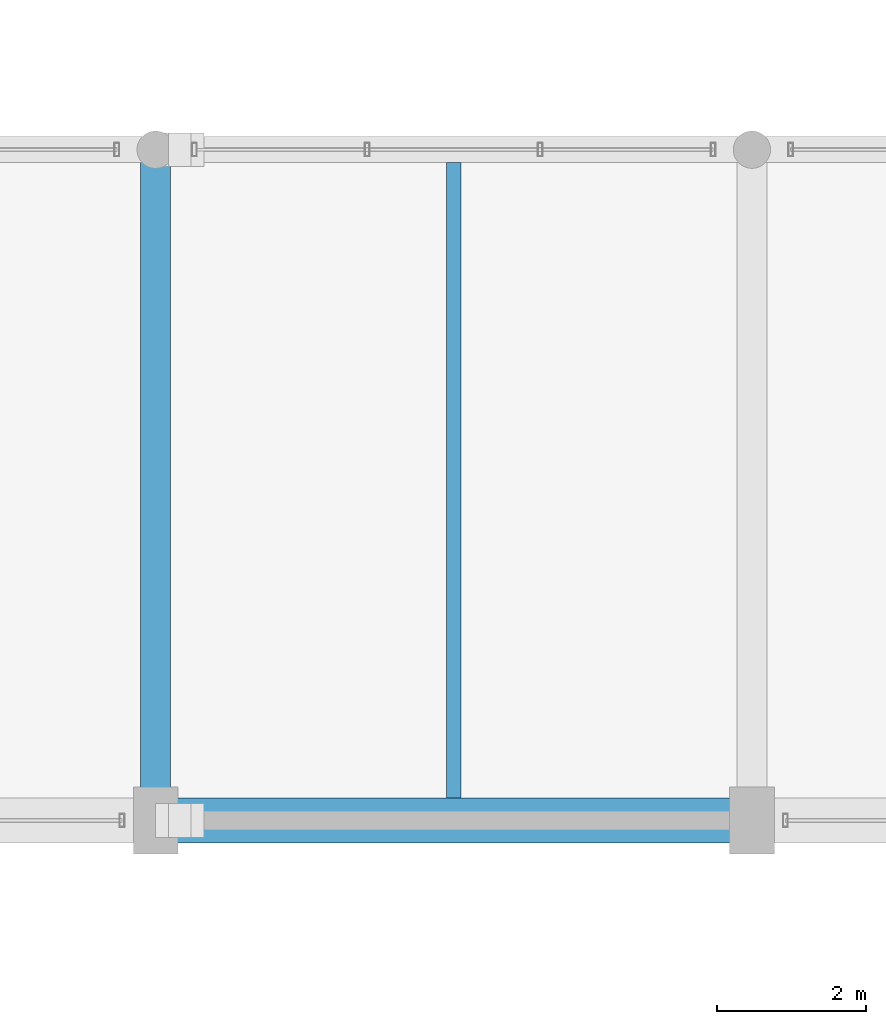
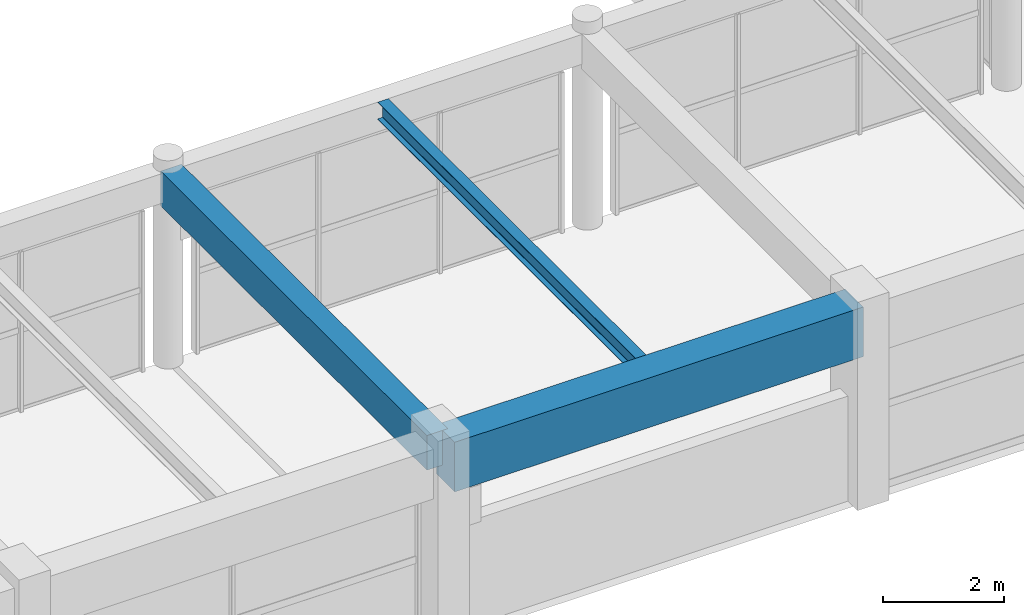
# One storey, part 45 of 126: 3 beams.
"""IFC4 building model written with IfcOpenShell, lengths in metres."""

import ifcopenshell
import ifcopenshell.guid

model = None  # the IFC model being written
_history = None  # IfcOwnerHistory: only IFC2X3 demands one
_inside = {}  # id of a spatial element -> (the spatial element, [elements in it])
_under = {}  # id of a project, library or spatial element -> (it, [spatial elements below it])
_declared = {}  # id of a project -> (the project, [libraries it declares])
_typed = {}  # id of a type object -> (the type object, [elements of that type])
_made_of = {}  # id of a material, layer set ... -> (it, [elements and type objects made of it])


def new_model(schema):
    """Start an empty IFC model of exactly this schema.

    Asked for "IFC4X3", IfcOpenShell would pick the latest addendum, in which some entities
    have other attributes; the version numbers below select the first issue.
    IFC2X3 requires an IfcOwnerHistory on every rooted entity: one is made here for all.
    """
    global model, _history
    if schema == "IFC4X3":
        model = ifcopenshell.file(schema_version=(4, 3, 0, 0))
    else:
        model = ifcopenshell.file(schema=schema)
    _inside.clear()
    _under.clear()
    _declared.clear()
    _typed.clear()
    _made_of.clear()
    _history = None
    if model.schema == "IFC2X3":
        org = make("IfcOrganization", Name="unknown")
        user = make(
            "IfcPersonAndOrganization",
            ThePerson=make("IfcPerson", FamilyName="unknown"),
            TheOrganization=org,
        )
        app = make(
            "IfcApplication",
            ApplicationDeveloper=org,
            Version="unknown",
            ApplicationFullName="unknown",
            ApplicationIdentifier="unknown",
        )
        _history = make(
            "IfcOwnerHistory",
            OwningUser=user,
            OwningApplication=app,
            ChangeAction="ADDED",
            CreationDate=0,
        )
    return model


def make(cls, **values):
    """One entity of the class cls with the attributes given. An attribute that is None is left unset."""
    return model.create_entity(
        cls, **{name: value for name, value in values.items() if value is not None}
    )


def rooted(cls, **values):
    """An entity with a GlobalId (a new one), such as an element, a storey or a relation."""
    return make(cls, GlobalId=ifcopenshell.guid.new(), OwnerHistory=_history, **values)


def si_unit(unit_type, name, prefix=None):
    """IfcSIUnit, for example si_unit("LENGTHUNIT", "METRE", prefix="MILLI")."""
    return make("IfcSIUnit", UnitType=unit_type, Prefix=prefix, Name=name)


def assignment(units):
    """IfcUnitAssignment: the units of a project."""
    return None if units is None else make("IfcUnitAssignment", Units=units)


def point(xyz):
    """IfcCartesianPoint."""
    return None if xyz is None else make("IfcCartesianPoint", Coordinates=xyz)


def direction(xyz):
    """IfcDirection."""
    return None if xyz is None else make("IfcDirection", DirectionRatios=xyz)


def frame(location, z_axis=None, x_axis=None):
    """IfcAxis2Placement3D, a coordinate frame: its origin and axes. An axis left out is left unset."""
    return make(
        "IfcAxis2Placement3D",
        Location=point(location),
        Axis=direction(z_axis),
        RefDirection=direction(x_axis),
    )


def frame_2d(location, x_axis=None):
    """IfcAxis2Placement2D, a coordinate frame in the plane: its origin and x axis."""
    return make(
        "IfcAxis2Placement2D", Location=point(location), RefDirection=direction(x_axis)
    )


def origin():
    """The frame at (0, 0, 0) with its axes left unset."""
    return frame((0.0, 0.0, 0.0))


def origin_2d():
    """The frame at (0, 0) in the plane with its x axis left unset."""
    return frame_2d((0.0, 0.0))


def place(relative_to, where):
    """IfcLocalPlacement: puts the frame where relative to a parent placement (None: the world)."""
    return make(
        "IfcLocalPlacement", PlacementRelTo=relative_to, RelativePlacement=where
    )


def context(
    kind, dimensions, precision=None, world=None, true_north=None, identifier=None
):
    """IfcGeometricRepresentationContext, for example the 3D "Model" context."""
    return make(
        "IfcGeometricRepresentationContext",
        ContextIdentifier=identifier,
        ContextType=kind,
        CoordinateSpaceDimension=dimensions,
        Precision=precision,
        WorldCoordinateSystem=world,
        TrueNorth=true_north,
    )


def subcontext(parent, identifier, kind, view, scale=None):
    """IfcGeometricRepresentationSubContext, for example "Body" below "Model"."""
    return make(
        "IfcGeometricRepresentationSubContext",
        ContextIdentifier=identifier,
        ContextType=kind,
        ParentContext=parent,
        TargetScale=scale,
        TargetView=view,
    )


def project(units=None, contexts=None):
    """IfcProject with its units and contexts."""
    return rooted(
        "IfcProject",
        Name="project",
        RepresentationContexts=contexts,
        UnitsInContext=assignment(units),
    )


def spatial(cls, under=None, at=None, **own):
    """A site, building, storey or space (cls), placed at a placement, below another one or the project."""
    s = rooted(cls, ObjectPlacement=at, **own)
    if under is not None:
        _under.setdefault(under.id(), (under, []))[1].append(s)
    return s


def profile(cls, at=None, kind="AREA", **sizes):
    """A parametric profile (cls). Its sizes go by their IFC names, for example OverallWidth=200.0."""
    return make(cls, ProfileType=kind, Position=at, **sizes)


def rectangle(**sizes):
    """IfcRectangleProfileDef."""
    return profile("IfcRectangleProfileDef", **sizes)


def i_section(**sizes):
    """IfcIShapeProfileDef."""
    return profile("IfcIShapeProfileDef", **sizes)


def extrude(swept, where, along, depth):
    """IfcExtrudedAreaSolid: the profile swept, set in the frame where, extruded along a direction by depth."""
    return make(
        "IfcExtrudedAreaSolid",
        SweptArea=swept,
        Position=where,
        ExtrudedDirection=direction(along),
        Depth=depth,
    )


def shape(context_of_items, identifier, shape_type, items):
    """IfcShapeRepresentation: the items that make up one representation, for example the "Body"."""
    return make(
        "IfcShapeRepresentation",
        ContextOfItems=context_of_items,
        RepresentationIdentifier=identifier,
        RepresentationType=shape_type,
        Items=items,
    )


def material(Name=None, Category=None):
    """IfcMaterial."""
    return make("IfcMaterial", Name=Name, Category=Category)


def material_profile(
    of_material, cross_section, Name=None, Category=None, Priority=None
):
    """IfcMaterialProfile: a cross section and its material."""
    return make(
        "IfcMaterialProfile",
        Name=Name,
        Material=of_material,
        Profile=cross_section,
        Priority=Priority,
        Category=Category,
    )


def profile_set(profiles, Name=None, composite=None):
    """IfcMaterialProfileSet."""
    return make(
        "IfcMaterialProfileSet",
        Name=Name,
        MaterialProfiles=profiles,
        CompositeProfile=composite,
    )


def made_of(thing, what):
    """Note that an element or type object is made of a material, layer set ...; save() writes the relation."""
    if what is not None:
        _made_of.setdefault(what.id(), (what, []))[1].append(thing)
    return thing


def type_object(cls, material=None, **own):
    """A type object (cls), such as IfcWallType, which elements share."""
    return made_of(rooted(cls, **own), material)


def element(
    cls,
    number,
    at=None,
    inside=None,
    cuts=None,
    type_object=None,
    material=None,
    context=None,
    identifier="Body",
    shape_type=None,
    held_by="IfcProductDefinitionShape",
    body=None,
    shapes=None,
    **own,
):
    """One element of the class cls, such as IfcWall. Its Tag is "e" and its number.

    at: its placement. inside: the storey or other place that contains it. cuts: it is an
    opening in that element (IfcRelVoidsElement). A single representation is given by context,
    identifier, shape_type and body (its items); several are given by shapes. held_by: the class
    of the entity that holds the representations. save() writes the other relations.
    """
    e = rooted(cls, Tag="e%d" % number, ObjectPlacement=at, **own)
    if body is not None:
        shapes = [shape(context, identifier, shape_type, body)]
    if shapes is not None:
        e.Representation = make(held_by, Representations=shapes)
    if inside is not None:
        _inside.setdefault(inside.id(), (inside, []))[1].append(e)
    if cuts is not None:
        rooted(
            "IfcRelVoidsElement", RelatingBuildingElement=cuts, RelatedOpeningElement=e
        )
    if type_object is not None:
        _typed.setdefault(type_object.id(), (type_object, []))[1].append(e)
    return made_of(e, material)


def aggregate(whole, parts):
    """IfcRelAggregates: a whole, such as a stair, and the parts it consists of."""
    return rooted("IfcRelAggregates", RelatingObject=whole, RelatedObjects=parts)


def save(model, path):
    """Write the relations noted so far, then the file.

    IfcRelAggregates (storeys below a building ...), IfcRelContainedInSpatialStructure (elements
    in a storey), IfcRelDefinesByType, IfcRelAssociatesMaterial and IfcRelDeclares: one each for
    every whole, place, type object, material and project.
    """
    for whole, parts in _under.values():
        aggregate(whole, parts)
    for where, things in _inside.values():
        rooted(
            "IfcRelContainedInSpatialStructure",
            RelatedElements=things,
            RelatingStructure=where,
        )
    for kind, things in _typed.values():
        rooted("IfcRelDefinesByType", RelatedObjects=things, RelatingType=kind)
    for what, things in _made_of.values():
        rooted("IfcRelAssociatesMaterial", RelatedObjects=things, RelatingMaterial=what)
    for by, libraries in _declared.values():
        rooted("IfcRelDeclares", RelatingContext=by, RelatedDefinitions=libraries)
    model.write(path)


model = new_model("IFC4")

# Units and contexts
model_context = context("Model", 3, precision=1e-05, world=origin(), true_north=direction((0.0, 1.0)))
body_context = subcontext(model_context, "Body", "Model", "MODEL_VIEW")
ifc_project = project(units=[si_unit("LENGTHUNIT", "METRE"), si_unit("AREAUNIT", "SQUARE_METRE"), si_unit("VOLUMEUNIT", "CUBIC_METRE"), si_unit("PLANEANGLEUNIT", "RADIAN"), si_unit("MASSUNIT", "GRAM", prefix="KILO")], contexts=[model_context])

# Site, building, storey
site_placement = place(None, origin())
site = spatial("IfcSite", under=ifc_project, at=site_placement, CompositionType="ELEMENT")
building_placement = place(site_placement, origin())
building = spatial("IfcBuilding", under=site, at=building_placement, Name="Varnabhumi Central Station", CompositionType="ELEMENT")
storey_placement = place(building_placement, frame((0.0, 0.0, 16.199951171875)))
storey = spatial("IfcBuildingStorey", under=building, at=storey_placement, Name="L03", CompositionType="ELEMENT", Elevation=16.199951171875)

# Beams
ifc_material_1 = material(Name="Concrete M50", Category="concrete")
ifc_material_profile_1 = material_profile(ifc_material_1, rectangle(XDim=0.60009765625, YDim=1.0, at=origin_2d()), Name="Concrete M50", Category="concrete")
ifc_profile_set_1 = profile_set([ifc_material_profile_1], Name="Concrete M50")
beam_type_1 = type_object("IfcBeamType", Name="BM-RC-600x1000", PredefinedType="BEAM", material=ifc_profile_set_1)
beam_1_placement = place(storey_placement, frame((64.10009765625, 80.0, 3.449951171875), z_axis=(1.0, 0.0, 0.0), x_axis=(0.0, 1.0, 0.0)))
element("IfcBeam", 1, at=beam_1_placement, inside=storey, type_object=beam_type_1, Name="Beam L03-K:9-10", PredefinedType="BEAM", context=body_context, shape_type="SweptSolid", body=[
    extrude(rectangle(XDim=0.60009765625, YDim=1.0, at=origin_2d()), origin(), (0.0, 0.0, 1.0), 7.7998046875),
])
ifc_material_2 = material(Name="Concrete M40", Category="concrete")
ifc_material_profile_2 = material_profile(ifc_material_2, rectangle(XDim=0.39990234375, YDim=0.699951171875, at=origin_2d()), Name="Concrete M40", Category="concrete")
ifc_profile_set_2 = profile_set([ifc_material_profile_2], Name="Concrete M40")
beam_type_2 = type_object("IfcBeamType", Name="BM-RC-700x400", PredefinedType="BEAM", material=ifc_profile_set_2)
beam_2_placement = place(storey_placement, frame((64.0, 80.10009765625, 3.60009765625), z_axis=(0.0, 1.0, 0.0), x_axis=(-1.0, 0.0, 0.0)))
element("IfcBeam", 2, at=beam_2_placement, inside=storey, type_object=beam_type_2, Name="Beam L03-9:K-L", PredefinedType="BEAM", context=body_context, shape_type="SweptSolid", body=[
    extrude(rectangle(XDim=0.39990234375, YDim=0.699951171875, at=origin_2d()), origin(), (0.0, 0.0, 1.0), 8.7998046875),
])
ifc_material_3 = material(Name="Structural steel E350", Category="steel")
ifc_material_profile_3 = material_profile(ifc_material_3, i_section(OverallWidth=0.199951171875, OverallDepth=0.35009765625, WebThickness=0.008056640625, FlangeThickness=0.011474609375, FilletRadius=0.011962890625, at=origin_2d()), Name="Structural steel E350", Category="steel")
ifc_profile_set_3 = profile_set([ifc_material_profile_3], Name="Structural steel E350")
beam_type_3 = type_object("IfcBeamType", Name="BM-STL-ISWB350", PredefinedType="JOIST", material=ifc_profile_set_3)
beam_3_placement = place(storey_placement, frame((68.0, 80.300048828125, 3.775146484375), z_axis=(0.0, 1.0, 0.0), x_axis=(-1.0, 0.0, 0.0)))
element("IfcBeam", 3, at=beam_3_placement, inside=storey, type_object=beam_type_3, Name="Secondary Joist L03-9/10:K-L", PredefinedType="JOIST", context=body_context, shape_type="SweptSolid", body=[
    extrude(i_section(OverallWidth=0.199951171875, OverallDepth=0.35009765625, WebThickness=0.008056640625, FlangeThickness=0.011474609375, FilletRadius=0.011962890625, at=origin_2d()), origin(), (0.0, 0.0, 1.0), 8.52490234375),
])

save(model, "model.ifc")
